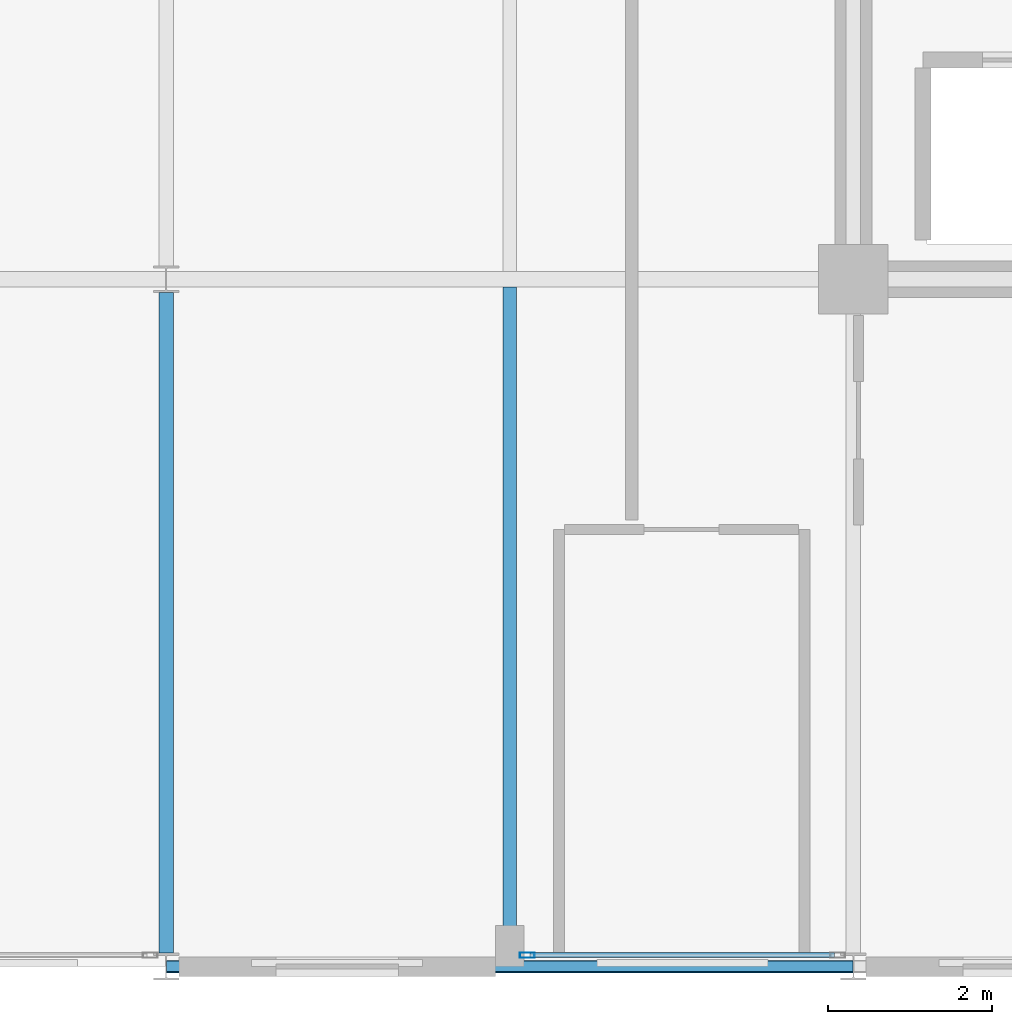
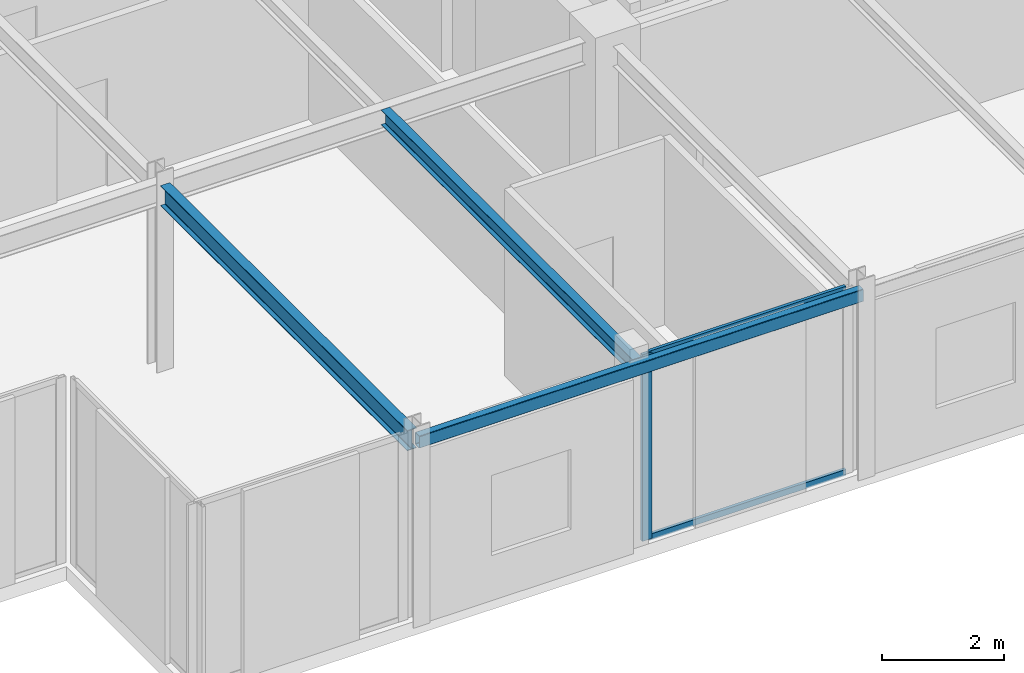
# One storey, part 4 of 26: 3 beams, 3 members, 1 element without a shape of its own.
"""IFC4 building model written with IfcOpenShell, lengths in metres."""

import ifcopenshell
import ifcopenshell.guid

model = None  # the IFC model being written
_history = None  # IfcOwnerHistory: only IFC2X3 demands one
_inside = {}  # id of a spatial element -> (the spatial element, [elements in it])
_under = {}  # id of a project, library or spatial element -> (it, [spatial elements below it])
_declared = {}  # id of a project -> (the project, [libraries it declares])
_typed = {}  # id of a type object -> (the type object, [elements of that type])
_made_of = {}  # id of a material, layer set ... -> (it, [elements and type objects made of it])


def new_model(schema):
    """Start an empty IFC model of exactly this schema.

    Asked for "IFC4X3", IfcOpenShell would pick the latest addendum, in which some entities
    have other attributes; the version numbers below select the first issue.
    IFC2X3 requires an IfcOwnerHistory on every rooted entity: one is made here for all.
    """
    global model, _history
    if schema == "IFC4X3":
        model = ifcopenshell.file(schema_version=(4, 3, 0, 0))
    else:
        model = ifcopenshell.file(schema=schema)
    _inside.clear()
    _under.clear()
    _declared.clear()
    _typed.clear()
    _made_of.clear()
    _history = None
    if model.schema == "IFC2X3":
        org = make("IfcOrganization", Name="unknown")
        user = make(
            "IfcPersonAndOrganization",
            ThePerson=make("IfcPerson", FamilyName="unknown"),
            TheOrganization=org,
        )
        app = make(
            "IfcApplication",
            ApplicationDeveloper=org,
            Version="unknown",
            ApplicationFullName="unknown",
            ApplicationIdentifier="unknown",
        )
        _history = make(
            "IfcOwnerHistory",
            OwningUser=user,
            OwningApplication=app,
            ChangeAction="ADDED",
            CreationDate=0,
        )
    return model


def make(cls, **values):
    """One entity of the class cls with the attributes given. An attribute that is None is left unset."""
    return model.create_entity(
        cls, **{name: value for name, value in values.items() if value is not None}
    )


def rooted(cls, **values):
    """An entity with a GlobalId (a new one), such as an element, a storey or a relation."""
    return make(cls, GlobalId=ifcopenshell.guid.new(), OwnerHistory=_history, **values)


def si_unit(unit_type, name, prefix=None):
    """IfcSIUnit, for example si_unit("LENGTHUNIT", "METRE", prefix="MILLI")."""
    return make("IfcSIUnit", UnitType=unit_type, Prefix=prefix, Name=name)


def assignment(units):
    """IfcUnitAssignment: the units of a project."""
    return None if units is None else make("IfcUnitAssignment", Units=units)


def point(xyz):
    """IfcCartesianPoint."""
    return None if xyz is None else make("IfcCartesianPoint", Coordinates=xyz)


def direction(xyz):
    """IfcDirection."""
    return None if xyz is None else make("IfcDirection", DirectionRatios=xyz)


def frame(location, z_axis=None, x_axis=None):
    """IfcAxis2Placement3D, a coordinate frame: its origin and axes. An axis left out is left unset."""
    return make(
        "IfcAxis2Placement3D",
        Location=point(location),
        Axis=direction(z_axis),
        RefDirection=direction(x_axis),
    )


def frame_2d(location, x_axis=None):
    """IfcAxis2Placement2D, a coordinate frame in the plane: its origin and x axis."""
    return make(
        "IfcAxis2Placement2D", Location=point(location), RefDirection=direction(x_axis)
    )


def origin():
    """The frame at (0, 0, 0) with its axes left unset."""
    return frame((0.0, 0.0, 0.0))


def origin_2d():
    """The frame at (0, 0) in the plane with its x axis left unset."""
    return frame_2d((0.0, 0.0))


def place(relative_to, where):
    """IfcLocalPlacement: puts the frame where relative to a parent placement (None: the world)."""
    return make(
        "IfcLocalPlacement", PlacementRelTo=relative_to, RelativePlacement=where
    )


def context(
    kind, dimensions, precision=None, world=None, true_north=None, identifier=None
):
    """IfcGeometricRepresentationContext, for example the 3D "Model" context."""
    return make(
        "IfcGeometricRepresentationContext",
        ContextIdentifier=identifier,
        ContextType=kind,
        CoordinateSpaceDimension=dimensions,
        Precision=precision,
        WorldCoordinateSystem=world,
        TrueNorth=true_north,
    )


def subcontext(parent, identifier, kind, view, scale=None):
    """IfcGeometricRepresentationSubContext, for example "Body" below "Model"."""
    return make(
        "IfcGeometricRepresentationSubContext",
        ContextIdentifier=identifier,
        ContextType=kind,
        ParentContext=parent,
        TargetScale=scale,
        TargetView=view,
    )


def project(units=None, contexts=None):
    """IfcProject with its units and contexts."""
    return rooted(
        "IfcProject",
        Name="project",
        RepresentationContexts=contexts,
        UnitsInContext=assignment(units),
    )


def spatial(cls, under=None, at=None, **own):
    """A site, building, storey or space (cls), placed at a placement, below another one or the project."""
    s = rooted(cls, ObjectPlacement=at, **own)
    if under is not None:
        _under.setdefault(under.id(), (under, []))[1].append(s)
    return s


def profile(cls, at=None, kind="AREA", **sizes):
    """A parametric profile (cls). Its sizes go by their IFC names, for example OverallWidth=200.0."""
    return make(cls, ProfileType=kind, Position=at, **sizes)


def hollow_rectangle(**sizes):
    """IfcRectangleHollowProfileDef."""
    return profile("IfcRectangleHollowProfileDef", **sizes)


def i_section(**sizes):
    """IfcIShapeProfileDef."""
    return profile("IfcIShapeProfileDef", **sizes)


def extrude(swept, where, along, depth):
    """IfcExtrudedAreaSolid: the profile swept, set in the frame where, extruded along a direction by depth."""
    return make(
        "IfcExtrudedAreaSolid",
        SweptArea=swept,
        Position=where,
        ExtrudedDirection=direction(along),
        Depth=depth,
    )


def shape(context_of_items, identifier, shape_type, items):
    """IfcShapeRepresentation: the items that make up one representation, for example the "Body"."""
    return make(
        "IfcShapeRepresentation",
        ContextOfItems=context_of_items,
        RepresentationIdentifier=identifier,
        RepresentationType=shape_type,
        Items=items,
    )


def material(Name=None, Category=None):
    """IfcMaterial."""
    return make("IfcMaterial", Name=Name, Category=Category)


def layer(
    of_material, thickness, ventilated=None, Name=None, Category=None, Priority=None
):
    """IfcMaterialLayer: one layer of a wall or slab, of a material (None: an air gap)."""
    return make(
        "IfcMaterialLayer",
        Material=of_material,
        LayerThickness=thickness,
        IsVentilated=ventilated,
        Name=Name,
        Category=Category,
        Priority=Priority,
    )


def layer_set(layers, Name=None):
    """IfcMaterialLayerSet."""
    return make("IfcMaterialLayerSet", MaterialLayers=layers, LayerSetName=Name)


def material_profile(
    of_material, cross_section, Name=None, Category=None, Priority=None
):
    """IfcMaterialProfile: a cross section and its material."""
    return make(
        "IfcMaterialProfile",
        Name=Name,
        Material=of_material,
        Profile=cross_section,
        Priority=Priority,
        Category=Category,
    )


def profile_set(profiles, Name=None, composite=None):
    """IfcMaterialProfileSet."""
    return make(
        "IfcMaterialProfileSet",
        Name=Name,
        MaterialProfiles=profiles,
        CompositeProfile=composite,
    )


def made_of(thing, what):
    """Note that an element or type object is made of a material, layer set ...; save() writes the relation."""
    if what is not None:
        _made_of.setdefault(what.id(), (what, []))[1].append(thing)
    return thing


def type_object(cls, material=None, **own):
    """A type object (cls), such as IfcWallType, which elements share."""
    return made_of(rooted(cls, **own), material)


def element(
    cls,
    number,
    at=None,
    inside=None,
    cuts=None,
    type_object=None,
    material=None,
    context=None,
    identifier="Body",
    shape_type=None,
    held_by="IfcProductDefinitionShape",
    body=None,
    shapes=None,
    **own,
):
    """One element of the class cls, such as IfcWall. Its Tag is "e" and its number.

    at: its placement. inside: the storey or other place that contains it. cuts: it is an
    opening in that element (IfcRelVoidsElement). A single representation is given by context,
    identifier, shape_type and body (its items); several are given by shapes. held_by: the class
    of the entity that holds the representations. save() writes the other relations.
    """
    e = rooted(cls, Tag="e%d" % number, ObjectPlacement=at, **own)
    if body is not None:
        shapes = [shape(context, identifier, shape_type, body)]
    if shapes is not None:
        e.Representation = make(held_by, Representations=shapes)
    if inside is not None:
        _inside.setdefault(inside.id(), (inside, []))[1].append(e)
    if cuts is not None:
        rooted(
            "IfcRelVoidsElement", RelatingBuildingElement=cuts, RelatedOpeningElement=e
        )
    if type_object is not None:
        _typed.setdefault(type_object.id(), (type_object, []))[1].append(e)
    return made_of(e, material)


def aggregate(whole, parts):
    """IfcRelAggregates: a whole, such as a stair, and the parts it consists of."""
    return rooted("IfcRelAggregates", RelatingObject=whole, RelatedObjects=parts)


def save(model, path):
    """Write the relations noted so far, then the file.

    IfcRelAggregates (storeys below a building ...), IfcRelContainedInSpatialStructure (elements
    in a storey), IfcRelDefinesByType, IfcRelAssociatesMaterial and IfcRelDeclares: one each for
    every whole, place, type object, material and project.
    """
    for whole, parts in _under.values():
        aggregate(whole, parts)
    for where, things in _inside.values():
        rooted(
            "IfcRelContainedInSpatialStructure",
            RelatedElements=things,
            RelatingStructure=where,
        )
    for kind, things in _typed.values():
        rooted("IfcRelDefinesByType", RelatedObjects=things, RelatingType=kind)
    for what, things in _made_of.values():
        rooted("IfcRelAssociatesMaterial", RelatedObjects=things, RelatingMaterial=what)
    for by, libraries in _declared.values():
        rooted("IfcRelDeclares", RelatingContext=by, RelatedDefinitions=libraries)
    model.write(path)


model = new_model("IFC4")

# Units and contexts
model_context = context("Model", 3, precision=1e-05, world=origin(), true_north=direction((0.0, 1.0)))
body_context = subcontext(model_context, "Body", "Model", "MODEL_VIEW")
ifc_project = project(units=[si_unit("LENGTHUNIT", "METRE"), si_unit("AREAUNIT", "SQUARE_METRE"), si_unit("VOLUMEUNIT", "CUBIC_METRE"), si_unit("PLANEANGLEUNIT", "RADIAN"), si_unit("MASSUNIT", "GRAM", prefix="KILO")], contexts=[model_context])

# Site, building, storey
site_placement = place(None, origin())
site = spatial("IfcSite", under=ifc_project, at=site_placement, CompositionType="ELEMENT")
building_placement = place(site_placement, origin())
building = spatial("IfcBuilding", under=site, at=building_placement, Name="Nerrivon Quay Data Exchange", CompositionType="ELEMENT")
storey_placement = place(building_placement, frame((0.0, 0.0, 270.199951171875)))
storey = spatial("IfcBuildingStorey", under=building, at=storey_placement, Name="L64", CompositionType="ELEMENT", Elevation=270.199951171875)

# Beams
ifc_material_1 = material(Name="Steel Grade 350", Category="steel")
ifc_material_profile_1 = material_profile(ifc_material_1, i_section(OverallWidth=0.177978515625, OverallDepth=0.406005859375, WebThickness=0.0078125, FlangeThickness=0.0126953125, FilletRadius=0.011474609375, at=origin_2d()), Name="410UB59.7")
ifc_profile_set_1 = profile_set([ifc_material_profile_1], Name="Steel Grade 350")
beam_type_1 = type_object("IfcBeamType", Name="BM-J1-410UB60", PredefinedType="JOIST", material=ifc_profile_set_1)
beam_1_placement = place(storey_placement, frame((8.39990234375, 0.16357421875, 3.52197265625), z_axis=(0.0, 1.0, 0.0), x_axis=(-1.0, 0.0, 0.0)))
element("IfcBeam", 1, at=beam_1_placement, inside=storey, type_object=beam_type_1, Name="L64 NS Girder X=8.4 (0.0..8.4)", PredefinedType="JOIST", context=body_context, shape_type="SweptSolid", body=[
    extrude(i_section(OverallWidth=0.177978515625, OverallDepth=0.406005859375, WebThickness=0.0078125, FlangeThickness=0.0126953125, FilletRadius=0.011474609375, at=origin_2d()), origin(), (0.0, 0.0, 1.0), 8.072998046875),
])
ifc_material_profile_2 = material_profile(ifc_material_1, i_section(OverallWidth=0.1650390625, OverallDepth=0.303955078125, WebThickness=0.006103515625, FlangeThickness=0.01025390625, FilletRadius=0.011474609375, at=origin_2d()), Name="310UB40.4")
ifc_profile_set_2 = profile_set([ifc_material_profile_2], Name="Steel Grade 350")
beam_type_2 = type_object("IfcBeamType", Name="BM-J6-310UB40", PredefinedType="JOIST", material=ifc_profile_set_2)
beam_2_placement = place(storey_placement, frame((12.60009765625, 0.074951171875, 3.572998046875), z_axis=(0.0, 1.0, 0.0), x_axis=(-1.0, 0.0, 0.0)))
element("IfcBeam", 2, at=beam_2_placement, inside=storey, type_object=beam_type_2, Name="L64 Secondary Joist X=12.6 (0.0..8.4)", PredefinedType="JOIST", context=body_context, shape_type="SweptSolid", body=[
    extrude(i_section(OverallWidth=0.1650390625, OverallDepth=0.303955078125, WebThickness=0.006103515625, FlangeThickness=0.01025390625, FilletRadius=0.011474609375, at=origin_2d()), origin(), (0.0, 0.0, 1.0), 8.22998046875),
])
ifc_material_2 = material(Name="Steel Grade C350L0 (350 MPa)", Category="steel")
ifc_material_profile_3 = material_profile(ifc_material_2, hollow_rectangle(XDim=0.14990234375, YDim=0.25, WallThickness=0.009033203125, InnerFilletRadius=0.013427734375, OuterFilletRadius=0.0224609375, at=origin_2d()), Name="250x150x9.0RHS")
ifc_profile_set_3 = profile_set([ifc_material_profile_3], Name="Steel Grade C350L0 (350 MPa)")
beam_type_3 = type_object("IfcBeamType", Name="BM-SP4-250x150RHS", PredefinedType="SPANDREL", material=ifc_profile_set_3)
beam_3_placement = place(storey_placement, frame((8.40771484375, 0.0, 3.60009765625), z_axis=(1.0, 0.0, 0.0), x_axis=(0.0, 1.0, 0.0)))
element("IfcBeam", 3, at=beam_3_placement, inside=storey, type_object=beam_type_3, Name="L64 EW Girder Y=0.0 (8.4..16.8)", PredefinedType="SPANDREL", context=body_context, shape_type="SweptSolid", body=[
    extrude(hollow_rectangle(XDim=0.14990234375, YDim=0.25, WallThickness=0.009033203125, InnerFilletRadius=0.013427734375, OuterFilletRadius=0.0224609375, at=origin_2d()), origin(), (0.0, 0.0, 1.0), 8.38427734375),
])

# Curtain wall, members
ifc_material_3 = material(Name="Anodised aluminium 6063-T6", Category="aluminium")
ifc_layer = layer(ifc_material_3, 0.195068359375)
ifc_layer_set = layer_set([ifc_layer], Name="Anodised aluminium 6063-T6")
curtain_wall_type = type_object("IfcCurtainWallType", Name="CW-SYS-06", PredefinedType="NOTDEFINED", material=ifc_layer_set)
curtain_wall_placement = place(storey_placement, origin())
curtain_wall = element("IfcCurtainWall", 4, at=curtain_wall_placement, inside=storey, type_object=curtain_wall_type, Name="L64 Unitised Curtain Wall 6", PredefinedType="NOTDEFINED")
ifc_material_profile_4 = material_profile(ifc_material_3, hollow_rectangle(XDim=0.06494140625, YDim=0.179931640625, WallThickness=0.00341796875, at=origin_2d()), Name="ALU-MULL-180x65")
ifc_profile_set_4 = profile_set([ifc_material_profile_4], Name="Anodised aluminium 6063-T6")
member_type_1 = type_object("IfcMemberType", Name="CWM-180x65", PredefinedType="MULLION", material=ifc_profile_set_4)
member_1_placement = place(storey_placement, frame((12.8125, 0.139892578125, 0.0), z_axis=(0.0, 0.0, 1.0), x_axis=(0.0, -1.0, 0.0)))
member_1 = element("IfcMember", 5, at=member_1_placement, type_object=member_type_1, Name="CW06 mullion 2", PredefinedType="MULLION", context=body_context, shape_type="SweptSolid", body=[
    extrude(hollow_rectangle(XDim=0.06494140625, YDim=0.179931640625, WallThickness=0.00341796875, at=origin_2d()), origin(), (0.0, 0.0, 1.0), 3.72509765625),
])
ifc_material_profile_5 = material_profile(ifc_material_3, hollow_rectangle(XDim=0.06005859375, YDim=0.1201171875, WallThickness=0.003173828125, at=origin_2d()), Name="ALU-TRAN-120x60")
ifc_profile_set_5 = profile_set([ifc_material_profile_5], Name="Anodised aluminium 6063-T6")
member_type_2 = type_object("IfcMemberType", Name="CWT-120x60", PredefinedType="USERDEFINED", material=ifc_profile_set_5)
member_2_placement = place(storey_placement, frame((16.569580078125, 0.139892578125, 0.032470703125), z_axis=(-1.0, 0.0, 0.0), x_axis=(0.0, -1.0, 0.0)))
member_2 = element("IfcMember", 6, at=member_2_placement, type_object=member_type_2, Name="CW06 transom 1.1", ObjectType="TRANSOM", PredefinedType="USERDEFINED", context=body_context, shape_type="SweptSolid", body=[
    extrude(hollow_rectangle(XDim=0.06005859375, YDim=0.1201171875, WallThickness=0.003173828125, at=origin_2d()), origin(), (0.0, 0.0, 1.0), 3.719482421875),
])
member_3_placement = place(storey_placement, frame((16.569580078125, 0.139892578125, 3.692626953125), z_axis=(-1.0, 0.0, 0.0), x_axis=(0.0, -1.0, 0.0)))
member_3 = element("IfcMember", 7, at=member_3_placement, type_object=member_type_2, Name="CW06 transom 1.2", ObjectType="TRANSOM", PredefinedType="USERDEFINED", context=body_context, shape_type="SweptSolid", body=[
    extrude(hollow_rectangle(XDim=0.06005859375, YDim=0.1201171875, WallThickness=0.003173828125, at=origin_2d()), origin(), (0.0, 0.0, 1.0), 3.719482421875),
])
aggregate(curtain_wall, [member_1, member_2, member_3])

save(model, "model.ifc")
